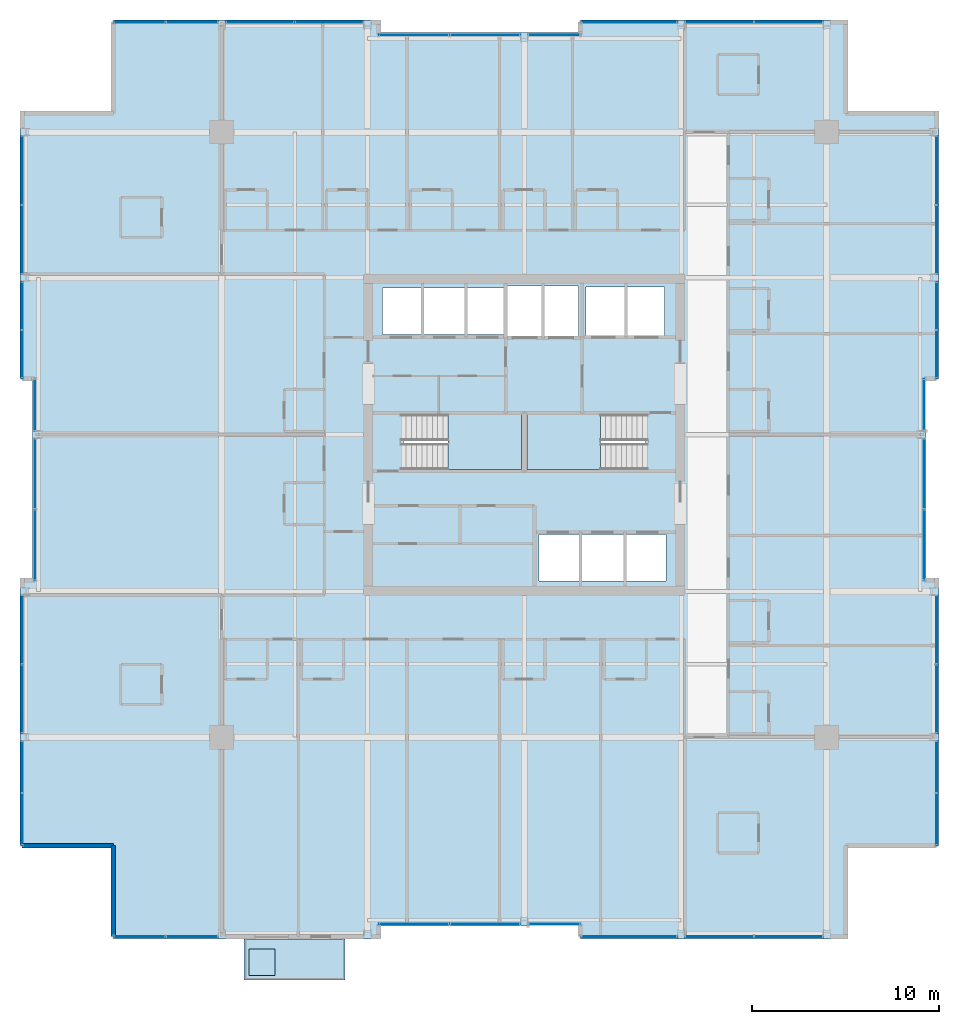
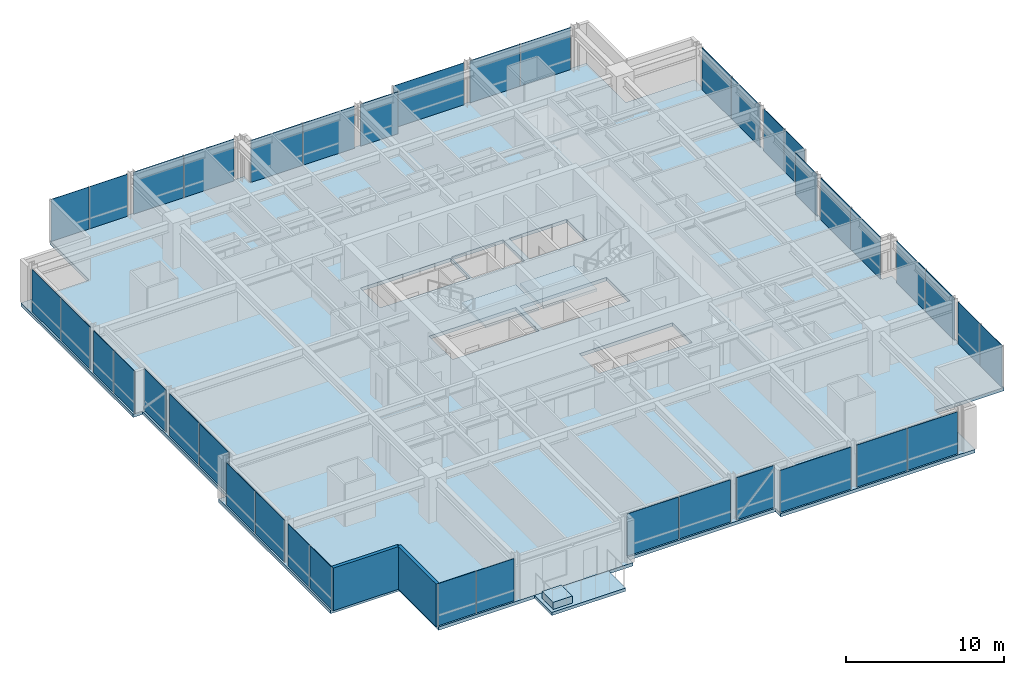
# One storey, part 25 of 33: 40 plates, 5 slabs, 2 walls, 25 elements without a shape of their own.
"""IFC4 building model written with IfcOpenShell, lengths in metres."""

from ifc_helpers import new_model, si_unit, direction, frame, frame_2d, origin, origin_2d, place, context, subcontext, project, spatial, polyline, rectangle, outline, extrude, material, layer, layer_set, type_object, element, aggregate, save


model = new_model("IFC4")

# Units and contexts
model_context = context("Model", 3, precision=1e-05, world=origin(), true_north=direction((0.0, 1.0)))
body_context = subcontext(model_context, "Body", "Model", "MODEL_VIEW")
ifc_project = project(units=[si_unit("LENGTHUNIT", "METRE"), si_unit("AREAUNIT", "SQUARE_METRE"), si_unit("VOLUMEUNIT", "CUBIC_METRE"), si_unit("PLANEANGLEUNIT", "RADIAN"), si_unit("MASSUNIT", "GRAM", prefix="KILO")], contexts=[model_context])

# Site, building, storey
site_placement = place(None, origin())
site = spatial("IfcSite", under=ifc_project, at=site_placement, CompositionType="ELEMENT")
building_placement = place(site_placement, origin())
building = spatial("IfcBuilding", under=site, at=building_placement, Name="Drelvath Grand Hotel", CompositionType="ELEMENT")
storey_placement = place(building_placement, frame((0.0, 0.0, 153.949951171875)))
storey = spatial("IfcBuildingStorey", under=building, at=storey_placement, Name="L39", CompositionType="ELEMENT", Elevation=153.949951171875)

# Slabs
ifc_material_1 = material(Name="Concrete f'c 40 MPa", Category="concrete")
ifc_layer_1 = layer(ifc_material_1, 0.239990234375)
ifc_layer_set_1 = layer_set([ifc_layer_1], Name="Concrete f'c 40 MPa")
slab_type_1 = type_object("IfcSlabType", Name="Cantilevered Tree Balcony Slab 240", PredefinedType="FLOOR", material=ifc_layer_set_1)
slab_1_placement = place(storey_placement, frame((0.0, 0.0, -0.239990234375)))
element("IfcSlab", 1, at=slab_1_placement, inside=storey, type_object=slab_type_1, Name="L39 Cantilevered Tree Balcony Slab 1", PredefinedType="FLOOR", context=body_context, shape_type="SweptSolid", body=[
    extrude(outline(polyline([(-15.0, -2.199951171875), (-9.60009765625, -2.199951171875), (-9.60009765625, 0.0), (-15.0, 0.0), (-15.0, -2.199951171875)])), origin(), (0.0, 0.0, 1.0), 0.239990234375),
])
ifc_layer_2 = layer(ifc_material_1, 0.260009765625)
ifc_layer_set_2 = layer_set([ifc_layer_2], Name="Concrete f'c 40 MPa")
slab_type_2 = type_object("IfcSlabType", Name="Composite RC Floor Slab 260", PredefinedType="FLOOR", material=ifc_layer_set_2)
slab_2_placement = place(storey_placement, frame((0.0, 0.0, -0.260009765625)))
element("IfcSlab", 2, at=slab_2_placement, inside=storey, type_object=slab_type_2, Name="L39 Structural Floor Slab", PredefinedType="FLOOR", context=body_context, shape_type="SweptSolid", body=[
    extrude(outline(polyline([(-22.0, 0.0), (-7.800048828125, 0.0), (-7.800048828125, 0.679931640625), (3.0, 0.679931640625), (3.0, 0.0), (17.199951171875, 0.0), (17.199951171875, 5.0), (22.199951171875, 5.0), (22.199951171875, 19.199951171875), (21.52001953125, 19.199951171875), (21.52001953125, 30.0), (22.199951171875, 30.0), (22.199951171875, 44.199951171875), (17.199951171875, 44.199951171875), (17.199951171875, 49.199951171875), (3.0, 49.199951171875), (3.0, 48.52001953125), (-7.800048828125, 48.52001953125), (-7.800048828125, 49.199951171875), (-22.0, 49.199951171875), (-22.0, 44.199951171875), (-27.0, 44.199951171875), (-27.0, 30.0), (-26.320068359375, 30.0), (-26.320068359375, 19.199951171875), (-27.0, 19.199951171875), (-27.0, 5.0), (-22.0, 5.0), (-22.0, 0.0)]), holes=[polyline([(-6.47998046875, 25.1201171875), (-6.47998046875, 28.080078125), (-0.14990234375, 28.080078125), (-0.14990234375, 25.1201171875), (-6.47998046875, 25.1201171875)]), polyline([(0.14990234375, 25.1201171875), (0.14990234375, 28.080078125), (6.47998046875, 28.080078125), (6.47998046875, 25.1201171875), (0.14990234375, 25.1201171875)]), polyline([(0.800048828125, 19.14990234375), (0.800048828125, 21.64990234375), (7.60009765625, 21.64990234375), (7.60009765625, 19.14990234375), (0.800048828125, 19.14990234375)]), polyline([(-7.60009765625, 32.35009765625), (-7.60009765625, 34.85009765625), (-1.02001953125, 34.85009765625), (-1.02001953125, 32.35009765625), (-7.60009765625, 32.35009765625)]), polyline([(-0.89990234375, 32.25), (-0.89990234375, 34.949951171875), (2.89990234375, 34.949951171875), (2.89990234375, 32.25), (-0.89990234375, 32.25)]), polyline([(3.300048828125, 32.300048828125), (3.300048828125, 34.89990234375), (7.5, 34.89990234375), (7.5, 32.300048828125), (3.300048828125, 32.300048828125)])]), origin(), (0.0, 0.0, 1.0), 0.260009765625),
])

# Stair, slab
ifc_material_2 = material(Name="Concrete C40/50", Category="concrete")
stair_type = type_object("IfcStairType", Name="Dogleg Exit Stair W1400-R177.5", PredefinedType="HALF_TURN_STAIR", material=ifc_material_2)
stair_1_placement = place(storey_placement, origin())
stair_1 = element("IfcStair", 3, at=stair_1_placement, inside=storey, type_object=stair_type, Name="L39 Core Exit Stair ST-1", PredefinedType="HALF_TURN_STAIR")
ifc_layer_3 = layer(ifc_material_2, 0.199951171875)
ifc_layer_set_3 = layer_set([ifc_layer_3], Name="Concrete C40/50")
slab_type_3 = type_object("IfcSlabType", Name="Concrete Stair Landing Slab 200", PredefinedType="LANDING", material=ifc_layer_set_3)
slab_3_placement = place(storey_placement, frame((0.0, 0.0, 1.574951171875)))
slab_3 = element("IfcSlab", 4, at=slab_3_placement, type_object=slab_type_3, Name="ST-1 landing 1", PredefinedType="LANDING", context=body_context, shape_type="SweptSolid", body=[
    extrude(outline(polyline([(-4.080078125, 25.1201171875), (-0.14990234375, 25.1201171875), (-0.14990234375, 28.080078125), (-4.080078125, 28.080078125), (-4.080078125, 25.1201171875)])), origin(), (0.0, 0.0, 1.0), 0.2001953125),
])
aggregate(stair_1, [slab_3])

stair_2_placement = place(storey_placement, origin())
stair_2 = element("IfcStair", 5, at=stair_2_placement, inside=storey, type_object=stair_type, Name="L39 Core Exit Stair ST-2", PredefinedType="HALF_TURN_STAIR")
slab_4_placement = place(storey_placement, frame((0.0, 0.0, 1.574951171875)))
slab_4 = element("IfcSlab", 6, at=slab_4_placement, type_object=slab_type_3, Name="ST-2 landing 1", PredefinedType="LANDING", context=body_context, shape_type="SweptSolid", body=[
    extrude(outline(polyline([(4.080078125, 28.080078125), (0.14990234375, 28.080078125), (0.14990234375, 25.1201171875), (4.080078125, 25.1201171875), (4.080078125, 28.080078125)])), origin(), (0.0, 0.0, 1.0), 0.2001953125),
])
aggregate(stair_2, [slab_4])

# Curtain wall, plates
ifc_material_3 = material(Name="Brushed Pale-Silver Anodised Aluminium Frame", Category="aluminium")
ifc_layer_4 = layer(ifc_material_3, 0.199951171875)
ifc_layer_set_4 = layer_set([ifc_layer_4], Name="Brushed Pale-Silver Anodised Aluminium Frame")
curtain_wall_type = type_object("IfcCurtainWallType", Name="Stick Curtain Wall CW-04 Brushed Silver Upper-Mid", PredefinedType="NOTDEFINED", material=ifc_layer_set_4)
curtain_wall_1_placement = place(storey_placement, origin())
curtain_wall_1 = element("IfcCurtainWall", 7, at=curtain_wall_1_placement, inside=storey, type_object=curtain_wall_type, Name="L39 CW-04 Curtain Wall CW04-L39-WS1", PredefinedType="NOTDEFINED")
ifc_material_4 = material(Name="Low-E Triple Silver Vision Glass Cool", Category="glass")
ifc_layer_5 = layer(ifc_material_4, 0.035888671875)
ifc_layer_set_5 = layer_set([ifc_layer_5], Name="Low-E Triple Silver Vision Glass Cool")
plate_type = type_object("IfcPlateType", Name="Curtain Wall Vision Panel CW-04 36mm", PredefinedType="CURTAIN_PANEL", material=ifc_layer_set_5)
plate_1_placement = place(storey_placement, frame((-26.8798828125, 6.39990234375, 0.02001953125), z_axis=(0.0, 0.0, 1.0), x_axis=(0.0, 1.0, 0.0)))
plate_1 = element("IfcPlate", 8, at=plate_1_placement, type_object=plate_type, Name="CW04-L39-WS1 Glazed Panel 1", PredefinedType="CURTAIN_PANEL", context=body_context, shape_type="SweptSolid", body=[
    extrude(rectangle(XDim=2.760009765625, YDim=0.035888671875, at=origin_2d()), origin(), (0.0, 0.0, 1.0), 3.25),
])
plate_2_placement = place(storey_placement, frame((-26.8798828125, 9.199951171875, 0.02001953125), z_axis=(0.0, 0.0, 1.0), x_axis=(0.0, 1.0, 0.0)))
plate_2 = element("IfcPlate", 9, at=plate_2_placement, type_object=plate_type, Name="CW04-L39-WS1 Glazed Panel 2", PredefinedType="CURTAIN_PANEL", context=body_context, shape_type="SweptSolid", body=[
    extrude(rectangle(XDim=2.760009765625, YDim=0.035888671875, at=origin_2d()), origin(), (0.0, 0.0, 1.0), 3.25),
])
aggregate(curtain_wall_1, [plate_1, plate_2])

curtain_wall_2_placement = place(storey_placement, origin())
curtain_wall_2 = element("IfcCurtainWall", 10, at=curtain_wall_2_placement, inside=storey, type_object=curtain_wall_type, Name="L39 CW-04 Curtain Wall CW04-L39-WS2", PredefinedType="NOTDEFINED")
plate_3_placement = place(storey_placement, frame((-26.8798828125, 12.85009765625, 0.02001953125), z_axis=(0.0, 0.0, 1.0), x_axis=(0.0, 1.0, 0.0)))
plate_3 = element("IfcPlate", 11, at=plate_3_placement, type_object=plate_type, Name="CW04-L39-WS2 Glazed Panel 1", PredefinedType="CURTAIN_PANEL", context=body_context, shape_type="SweptSolid", body=[
    extrude(rectangle(XDim=3.659912109375, YDim=0.035888671875, at=origin_2d()), origin(), (0.0, 0.0, 1.0), 3.25),
])
plate_4_placement = place(storey_placement, frame((-26.8798828125, 16.550048828125, 0.02001953125), z_axis=(0.0, 0.0, 1.0), x_axis=(0.0, 1.0, 0.0)))
plate_4 = element("IfcPlate", 12, at=plate_4_placement, type_object=plate_type, Name="CW04-L39-WS2 Glazed Panel 2", PredefinedType="CURTAIN_PANEL", context=body_context, shape_type="SweptSolid", body=[
    extrude(rectangle(XDim=3.659912109375, YDim=0.035888671875, at=origin_2d()), origin(), (0.0, 0.0, 1.0), 3.25),
])
aggregate(curtain_wall_2, [plate_3, plate_4])

curtain_wall_3_placement = place(storey_placement, origin())
curtain_wall_3 = element("IfcCurtainWall", 13, at=curtain_wall_3_placement, inside=storey, type_object=curtain_wall_type, Name="L39 CW-04 Curtain Wall CW04-L39-WM1", PredefinedType="NOTDEFINED")
plate_5_placement = place(storey_placement, frame((-26.199951171875, 21.099853515625, 0.02001953125), z_axis=(0.0, 0.0, 1.0), x_axis=(0.0, 1.0, 0.0)))
plate_5 = element("IfcPlate", 14, at=plate_5_placement, type_object=plate_type, Name="CW04-L39-WM1 Glazed Panel 1", PredefinedType="CURTAIN_PANEL", context=body_context, shape_type="SweptSolid", body=[
    extrude(rectangle(XDim=3.760009765625, YDim=0.035888671875, at=origin_2d()), origin(), (0.0, 0.0, 1.0), 3.25),
])
plate_6_placement = place(storey_placement, frame((-26.199951171875, 24.89990234375, 0.02001953125), z_axis=(0.0, 0.0, 1.0), x_axis=(0.0, 1.0, 0.0)))
plate_6 = element("IfcPlate", 15, at=plate_6_placement, type_object=plate_type, Name="CW04-L39-WM1 Glazed Panel 2", PredefinedType="CURTAIN_PANEL", context=body_context, shape_type="SweptSolid", body=[
    extrude(rectangle(XDim=3.760009765625, YDim=0.035888671875, at=origin_2d()), origin(), (0.0, 0.0, 1.0), 3.25),
])
aggregate(curtain_wall_3, [plate_5, plate_6])

# Curtain wall, plate
curtain_wall_4_placement = place(storey_placement, origin())
curtain_wall_4 = element("IfcCurtainWall", 16, at=curtain_wall_4_placement, inside=storey, type_object=curtain_wall_type, Name="L39 CW-04 Curtain Wall CW04-L39-WM2", PredefinedType="NOTDEFINED")
plate_7_placement = place(storey_placement, frame((-26.199951171875, 28.60009765625, 0.02001953125), z_axis=(0.0, 0.0, 1.0), x_axis=(0.0, 1.0, 0.0)))
plate_7 = element("IfcPlate", 17, at=plate_7_placement, type_object=plate_type, Name="CW04-L39-WM2 Glazed Panel 1", PredefinedType="CURTAIN_PANEL", context=body_context, shape_type="SweptSolid", body=[
    extrude(rectangle(XDim=2.760009765625, YDim=0.035888671875, at=origin_2d()), origin(), (0.0, 0.0, 1.0), 3.25),
])
aggregate(curtain_wall_4, [plate_7])

# Curtain wall, plates
curtain_wall_5_placement = place(storey_placement, origin())
curtain_wall_5 = element("IfcCurtainWall", 18, at=curtain_wall_5_placement, inside=storey, type_object=curtain_wall_type, Name="L39 CW-04 Curtain Wall CW04-L39-WN1", PredefinedType="NOTDEFINED")
plate_8_placement = place(storey_placement, frame((-26.8798828125, 31.300048828125, 0.02001953125), z_axis=(0.0, 0.0, 1.0), x_axis=(0.0, 1.0, 0.0)))
plate_8 = element("IfcPlate", 19, at=plate_8_placement, type_object=plate_type, Name="CW04-L39-WN1 Glazed Panel 1", PredefinedType="CURTAIN_PANEL", context=body_context, shape_type="SweptSolid", body=[
    extrude(rectangle(XDim=2.56005859375, YDim=0.035888671875, at=origin_2d()), origin(), (0.0, 0.0, 1.0), 3.25),
])
plate_9_placement = place(storey_placement, frame((-26.8798828125, 33.89990234375, 0.02001953125), z_axis=(0.0, 0.0, 1.0), x_axis=(0.0, 1.0, 0.0)))
plate_9 = element("IfcPlate", 20, at=plate_9_placement, type_object=plate_type, Name="CW04-L39-WN1 Glazed Panel 2", PredefinedType="CURTAIN_PANEL", context=body_context, shape_type="SweptSolid", body=[
    extrude(rectangle(XDim=2.56005859375, YDim=0.035888671875, at=origin_2d()), origin(), (0.0, 0.0, 1.0), 3.25),
])
aggregate(curtain_wall_5, [plate_8, plate_9])

curtain_wall_6_placement = place(storey_placement, origin())
curtain_wall_6 = element("IfcCurtainWall", 21, at=curtain_wall_6_placement, inside=storey, type_object=curtain_wall_type, Name="L39 CW-04 Curtain Wall CW04-L39-WN2", PredefinedType="NOTDEFINED")
plate_10_placement = place(storey_placement, frame((-26.8798828125, 37.449951171875, 0.02001953125), z_axis=(0.0, 0.0, 1.0), x_axis=(0.0, 1.0, 0.0)))
plate_10 = element("IfcPlate", 22, at=plate_10_placement, type_object=plate_type, Name="CW04-L39-WN2 Glazed Panel 1", PredefinedType="CURTAIN_PANEL", context=body_context, shape_type="SweptSolid", body=[
    extrude(rectangle(XDim=3.659912109375, YDim=0.035888671875, at=origin_2d()), origin(), (0.0, 0.0, 1.0), 3.25),
])
plate_11_placement = place(storey_placement, frame((-26.8798828125, 41.14990234375, 0.02001953125), z_axis=(0.0, 0.0, 1.0), x_axis=(0.0, 1.0, 0.0)))
plate_11 = element("IfcPlate", 23, at=plate_11_placement, type_object=plate_type, Name="CW04-L39-WN2 Glazed Panel 2", PredefinedType="CURTAIN_PANEL", context=body_context, shape_type="SweptSolid", body=[
    extrude(rectangle(XDim=3.659912109375, YDim=0.035888671875, at=origin_2d()), origin(), (0.0, 0.0, 1.0), 3.25),
])
aggregate(curtain_wall_6, [plate_10, plate_11])

curtain_wall_7_placement = place(storey_placement, origin())
curtain_wall_7 = element("IfcCurtainWall", 24, at=curtain_wall_7_placement, inside=storey, type_object=curtain_wall_type, Name="L39 CW-04 Curtain Wall CW04-L39-EN1", PredefinedType="NOTDEFINED")
plate_12_placement = place(storey_placement, frame((22.080078125, 33.89990234375, 0.02001953125), z_axis=(0.0, 0.0, 1.0), x_axis=(0.0, -1.0, 0.0)))
plate_12 = element("IfcPlate", 25, at=plate_12_placement, type_object=plate_type, Name="CW04-L39-EN1 Glazed Panel 1", PredefinedType="CURTAIN_PANEL", context=body_context, shape_type="SweptSolid", body=[
    extrude(rectangle(XDim=2.56005859375, YDim=0.035888671875, at=origin_2d()), origin(), (0.0, 0.0, 1.0), 3.25),
])
plate_13_placement = place(storey_placement, frame((22.080078125, 31.300048828125, 0.02001953125), z_axis=(0.0, 0.0, 1.0), x_axis=(0.0, -1.0, 0.0)))
plate_13 = element("IfcPlate", 26, at=plate_13_placement, type_object=plate_type, Name="CW04-L39-EN1 Glazed Panel 2", PredefinedType="CURTAIN_PANEL", context=body_context, shape_type="SweptSolid", body=[
    extrude(rectangle(XDim=2.56005859375, YDim=0.035888671875, at=origin_2d()), origin(), (0.0, 0.0, 1.0), 3.25),
])
aggregate(curtain_wall_7, [plate_12, plate_13])

curtain_wall_8_placement = place(storey_placement, origin())
curtain_wall_8 = element("IfcCurtainWall", 27, at=curtain_wall_8_placement, inside=storey, type_object=curtain_wall_type, Name="L39 CW-04 Curtain Wall CW04-L39-EN2", PredefinedType="NOTDEFINED")
plate_14_placement = place(storey_placement, frame((22.080078125, 41.14990234375, 0.02001953125), z_axis=(0.0, 0.0, 1.0), x_axis=(0.0, -1.0, 0.0)))
plate_14 = element("IfcPlate", 28, at=plate_14_placement, type_object=plate_type, Name="CW04-L39-EN2 Glazed Panel 1", PredefinedType="CURTAIN_PANEL", context=body_context, shape_type="SweptSolid", body=[
    extrude(rectangle(XDim=3.659912109375, YDim=0.035888671875, at=origin_2d()), origin(), (0.0, 0.0, 1.0), 3.25),
])
plate_15_placement = place(storey_placement, frame((22.080078125, 37.449951171875, 0.02001953125), z_axis=(0.0, 0.0, 1.0), x_axis=(0.0, -1.0, 0.0)))
plate_15 = element("IfcPlate", 29, at=plate_15_placement, type_object=plate_type, Name="CW04-L39-EN2 Glazed Panel 2", PredefinedType="CURTAIN_PANEL", context=body_context, shape_type="SweptSolid", body=[
    extrude(rectangle(XDim=3.659912109375, YDim=0.035888671875, at=origin_2d()), origin(), (0.0, 0.0, 1.0), 3.25),
])
aggregate(curtain_wall_8, [plate_14, plate_15])

curtain_wall_9_placement = place(storey_placement, origin())
curtain_wall_9 = element("IfcCurtainWall", 30, at=curtain_wall_9_placement, inside=storey, type_object=curtain_wall_type, Name="L39 CW-04 Curtain Wall CW04-L39-EM1", PredefinedType="NOTDEFINED")
plate_16_placement = place(storey_placement, frame((21.39990234375, 24.89990234375, 0.02001953125), z_axis=(0.0, 0.0, 1.0), x_axis=(0.0, -1.0, 0.0)))
plate_16 = element("IfcPlate", 31, at=plate_16_placement, type_object=plate_type, Name="CW04-L39-EM1 Glazed Panel 1", PredefinedType="CURTAIN_PANEL", context=body_context, shape_type="SweptSolid", body=[
    extrude(rectangle(XDim=3.760009765625, YDim=0.035888671875, at=origin_2d()), origin(), (0.0, 0.0, 1.0), 3.25),
])
plate_17_placement = place(storey_placement, frame((21.39990234375, 21.099853515625, 0.02001953125), z_axis=(0.0, 0.0, 1.0), x_axis=(0.0, -1.0, 0.0)))
plate_17 = element("IfcPlate", 32, at=plate_17_placement, type_object=plate_type, Name="CW04-L39-EM1 Glazed Panel 2", PredefinedType="CURTAIN_PANEL", context=body_context, shape_type="SweptSolid", body=[
    extrude(rectangle(XDim=3.760009765625, YDim=0.035888671875, at=origin_2d()), origin(), (0.0, 0.0, 1.0), 3.25),
])
aggregate(curtain_wall_9, [plate_16, plate_17])

# Curtain wall, plate
curtain_wall_10_placement = place(storey_placement, origin())
curtain_wall_10 = element("IfcCurtainWall", 33, at=curtain_wall_10_placement, inside=storey, type_object=curtain_wall_type, Name="L39 CW-04 Curtain Wall CW04-L39-EM2", PredefinedType="NOTDEFINED")
plate_18_placement = place(storey_placement, frame((21.39990234375, 28.60009765625, 0.02001953125), z_axis=(0.0, 0.0, 1.0), x_axis=(0.0, -1.0, 0.0)))
plate_18 = element("IfcPlate", 34, at=plate_18_placement, type_object=plate_type, Name="CW04-L39-EM2 Glazed Panel 1", PredefinedType="CURTAIN_PANEL", context=body_context, shape_type="SweptSolid", body=[
    extrude(rectangle(XDim=2.760009765625, YDim=0.035888671875, at=origin_2d()), origin(), (0.0, 0.0, 1.0), 3.25),
])
aggregate(curtain_wall_10, [plate_18])

# Curtain wall, plates
curtain_wall_11_placement = place(storey_placement, origin())
curtain_wall_11 = element("IfcCurtainWall", 35, at=curtain_wall_11_placement, inside=storey, type_object=curtain_wall_type, Name="L39 CW-04 Curtain Wall CW04-L39-ES1", PredefinedType="NOTDEFINED")
plate_19_placement = place(storey_placement, frame((22.080078125, 9.199951171875, 0.02001953125), z_axis=(0.0, 0.0, 1.0), x_axis=(0.0, -1.0, 0.0)))
plate_19 = element("IfcPlate", 36, at=plate_19_placement, type_object=plate_type, Name="CW04-L39-ES1 Glazed Panel 1", PredefinedType="CURTAIN_PANEL", context=body_context, shape_type="SweptSolid", body=[
    extrude(rectangle(XDim=2.760009765625, YDim=0.035888671875, at=origin_2d()), origin(), (0.0, 0.0, 1.0), 3.25),
])
plate_20_placement = place(storey_placement, frame((22.080078125, 6.39990234375, 0.02001953125), z_axis=(0.0, 0.0, 1.0), x_axis=(0.0, -1.0, 0.0)))
plate_20 = element("IfcPlate", 37, at=plate_20_placement, type_object=plate_type, Name="CW04-L39-ES1 Glazed Panel 2", PredefinedType="CURTAIN_PANEL", context=body_context, shape_type="SweptSolid", body=[
    extrude(rectangle(XDim=2.760009765625, YDim=0.035888671875, at=origin_2d()), origin(), (0.0, 0.0, 1.0), 3.25),
])
aggregate(curtain_wall_11, [plate_19, plate_20])

curtain_wall_12_placement = place(storey_placement, origin())
curtain_wall_12 = element("IfcCurtainWall", 38, at=curtain_wall_12_placement, inside=storey, type_object=curtain_wall_type, Name="L39 CW-04 Curtain Wall CW04-L39-ES2", PredefinedType="NOTDEFINED")
plate_21_placement = place(storey_placement, frame((22.080078125, 16.550048828125, 0.02001953125), z_axis=(0.0, 0.0, 1.0), x_axis=(0.0, -1.0, 0.0)))
plate_21 = element("IfcPlate", 39, at=plate_21_placement, type_object=plate_type, Name="CW04-L39-ES2 Glazed Panel 1", PredefinedType="CURTAIN_PANEL", context=body_context, shape_type="SweptSolid", body=[
    extrude(rectangle(XDim=3.659912109375, YDim=0.035888671875, at=origin_2d()), origin(), (0.0, 0.0, 1.0), 3.25),
])
plate_22_placement = place(storey_placement, frame((22.080078125, 12.85009765625, 0.02001953125), z_axis=(0.0, 0.0, 1.0), x_axis=(0.0, -1.0, 0.0)))
plate_22 = element("IfcPlate", 40, at=plate_22_placement, type_object=plate_type, Name="CW04-L39-ES2 Glazed Panel 2", PredefinedType="CURTAIN_PANEL", context=body_context, shape_type="SweptSolid", body=[
    extrude(rectangle(XDim=3.659912109375, YDim=0.035888671875, at=origin_2d()), origin(), (0.0, 0.0, 1.0), 3.25),
])
aggregate(curtain_wall_12, [plate_21, plate_22])

curtain_wall_13_placement = place(storey_placement, origin())
curtain_wall_13 = element("IfcCurtainWall", 41, at=curtain_wall_13_placement, inside=storey, type_object=curtain_wall_type, Name="L39 CW-04 Curtain Wall CW04-L39-NW1", PredefinedType="NOTDEFINED")
plate_23_placement = place(storey_placement, frame((-20.60009765625, 49.080078125, 0.02001953125), z_axis=(0.0, 0.0, 1.0), x_axis=(1.0, 0.0, 0.0)))
plate_23 = element("IfcPlate", 42, at=plate_23_placement, type_object=plate_type, Name="CW04-L39-NW1 Glazed Panel 1", PredefinedType="CURTAIN_PANEL", context=body_context, shape_type="SweptSolid", body=[
    extrude(rectangle(XDim=2.760009765625, YDim=0.035888671875, at=origin_2d()), origin(), (0.0, 0.0, 1.0), 3.25),
])
plate_24_placement = place(storey_placement, frame((-17.800048828125, 49.080078125, 0.02001953125), z_axis=(0.0, 0.0, 1.0), x_axis=(1.0, 0.0, 0.0)))
plate_24 = element("IfcPlate", 43, at=plate_24_placement, type_object=plate_type, Name="CW04-L39-NW1 Glazed Panel 2", PredefinedType="CURTAIN_PANEL", context=body_context, shape_type="SweptSolid", body=[
    extrude(rectangle(XDim=2.760009765625, YDim=0.035888671875, at=origin_2d()), origin(), (0.0, 0.0, 1.0), 3.25),
])
aggregate(curtain_wall_13, [plate_23, plate_24])

curtain_wall_14_placement = place(storey_placement, origin())
curtain_wall_14 = element("IfcCurtainWall", 44, at=curtain_wall_14_placement, inside=storey, type_object=curtain_wall_type, Name="L39 CW-04 Curtain Wall CW04-L39-NW2", PredefinedType="NOTDEFINED")
plate_25_placement = place(storey_placement, frame((-14.14990234375, 49.080078125, 0.02001953125), z_axis=(0.0, 0.0, 1.0), x_axis=(1.0, 0.0, 0.0)))
plate_25 = element("IfcPlate", 45, at=plate_25_placement, type_object=plate_type, Name="CW04-L39-NW2 Glazed Panel 1", PredefinedType="CURTAIN_PANEL", context=body_context, shape_type="SweptSolid", body=[
    extrude(rectangle(XDim=3.659912109375, YDim=0.035888671875, at=origin_2d()), origin(), (0.0, 0.0, 1.0), 3.25),
])
plate_26_placement = place(storey_placement, frame((-10.4501953125, 49.080078125, 0.02001953125), z_axis=(0.0, 0.0, 1.0), x_axis=(1.0, 0.0, 0.0)))
plate_26 = element("IfcPlate", 46, at=plate_26_placement, type_object=plate_type, Name="CW04-L39-NW2 Glazed Panel 2", PredefinedType="CURTAIN_PANEL", context=body_context, shape_type="SweptSolid", body=[
    extrude(rectangle(XDim=3.659912109375, YDim=0.035888671875, at=origin_2d()), origin(), (0.0, 0.0, 1.0), 3.25),
])
aggregate(curtain_wall_14, [plate_25, plate_26])

curtain_wall_15_placement = place(storey_placement, origin())
curtain_wall_15 = element("IfcCurtainWall", 47, at=curtain_wall_15_placement, inside=storey, type_object=curtain_wall_type, Name="L39 CW-04 Curtain Wall CW04-L39-NM1", PredefinedType="NOTDEFINED")
plate_27_placement = place(storey_placement, frame((-5.89990234375, 48.39990234375, 0.02001953125), z_axis=(0.0, 0.0, 1.0), x_axis=(1.0, 0.0, 0.0)))
plate_27 = element("IfcPlate", 48, at=plate_27_placement, type_object=plate_type, Name="CW04-L39-NM1 Glazed Panel 1", PredefinedType="CURTAIN_PANEL", context=body_context, shape_type="SweptSolid", body=[
    extrude(rectangle(XDim=3.760009765625, YDim=0.035888671875, at=origin_2d()), origin(), (0.0, 0.0, 1.0), 3.25),
])
plate_28_placement = place(storey_placement, frame((-2.10009765625, 48.39990234375, 0.02001953125), z_axis=(0.0, 0.0, 1.0), x_axis=(1.0, 0.0, 0.0)))
plate_28 = element("IfcPlate", 49, at=plate_28_placement, type_object=plate_type, Name="CW04-L39-NM1 Glazed Panel 2", PredefinedType="CURTAIN_PANEL", context=body_context, shape_type="SweptSolid", body=[
    extrude(rectangle(XDim=3.760009765625, YDim=0.035888671875, at=origin_2d()), origin(), (0.0, 0.0, 1.0), 3.25),
])
aggregate(curtain_wall_15, [plate_27, plate_28])

# Curtain wall, plate
curtain_wall_16_placement = place(storey_placement, origin())
curtain_wall_16 = element("IfcCurtainWall", 50, at=curtain_wall_16_placement, inside=storey, type_object=curtain_wall_type, Name="L39 CW-04 Curtain Wall CW04-L39-NM2", PredefinedType="NOTDEFINED")
plate_29_placement = place(storey_placement, frame((1.60009765625, 48.39990234375, 0.02001953125), z_axis=(0.0, 0.0, 1.0), x_axis=(1.0, 0.0, 0.0)))
plate_29 = element("IfcPlate", 51, at=plate_29_placement, type_object=plate_type, Name="CW04-L39-NM2 Glazed Panel 1", PredefinedType="CURTAIN_PANEL", context=body_context, shape_type="SweptSolid", body=[
    extrude(rectangle(XDim=2.760009765625, YDim=0.035888671875, at=origin_2d()), origin(), (0.0, 0.0, 1.0), 3.25),
])
aggregate(curtain_wall_16, [plate_29])

curtain_wall_17_placement = place(storey_placement, origin())
curtain_wall_17 = element("IfcCurtainWall", 52, at=curtain_wall_17_placement, inside=storey, type_object=curtain_wall_type, Name="L39 CW-04 Curtain Wall CW04-L39-NE1", PredefinedType="NOTDEFINED")
plate_30_placement = place(storey_placement, frame((5.599853515625, 49.080078125, 0.02001953125), z_axis=(0.0, 0.0, 1.0), x_axis=(1.0, 0.0, 0.0)))
plate_30 = element("IfcPlate", 53, at=plate_30_placement, type_object=plate_type, Name="CW04-L39-NE1 Glazed Panel 1", PredefinedType="CURTAIN_PANEL", context=body_context, shape_type="SweptSolid", body=[
    extrude(rectangle(XDim=5.159912109375, YDim=0.035888671875, at=origin_2d()), origin(), (0.0, 0.0, 1.0), 3.25),
])
aggregate(curtain_wall_17, [plate_30])

# Curtain wall, plates
curtain_wall_18_placement = place(storey_placement, origin())
curtain_wall_18 = element("IfcCurtainWall", 54, at=curtain_wall_18_placement, inside=storey, type_object=curtain_wall_type, Name="L39 CW-04 Curtain Wall CW04-L39-NE2", PredefinedType="NOTDEFINED")
plate_31_placement = place(storey_placement, frame((10.4501953125, 49.080078125, 0.02001953125), z_axis=(0.0, 0.0, 1.0), x_axis=(1.0, 0.0, 0.0)))
plate_31 = element("IfcPlate", 55, at=plate_31_placement, type_object=plate_type, Name="CW04-L39-NE2 Glazed Panel 1", PredefinedType="CURTAIN_PANEL", context=body_context, shape_type="SweptSolid", body=[
    extrude(rectangle(XDim=3.659912109375, YDim=0.035888671875, at=origin_2d()), origin(), (0.0, 0.0, 1.0), 3.25),
])
plate_32_placement = place(storey_placement, frame((14.14990234375, 49.080078125, 0.02001953125), z_axis=(0.0, 0.0, 1.0), x_axis=(1.0, 0.0, 0.0)))
plate_32 = element("IfcPlate", 56, at=plate_32_placement, type_object=plate_type, Name="CW04-L39-NE2 Glazed Panel 2", PredefinedType="CURTAIN_PANEL", context=body_context, shape_type="SweptSolid", body=[
    extrude(rectangle(XDim=3.659912109375, YDim=0.035888671875, at=origin_2d()), origin(), (0.0, 0.0, 1.0), 3.25),
])
aggregate(curtain_wall_18, [plate_31, plate_32])

# Curtain wall, plate
curtain_wall_19_placement = place(storey_placement, origin())
curtain_wall_19 = element("IfcCurtainWall", 57, at=curtain_wall_19_placement, inside=storey, type_object=curtain_wall_type, Name="L39 CW-04 Curtain Wall CW04-L39-SE1", PredefinedType="NOTDEFINED")
plate_33_placement = place(storey_placement, frame((5.599853515625, 0.1201171875, 0.02001953125), z_axis=(0.0, 0.0, 1.0), x_axis=(-1.0, 0.0, 0.0)))
plate_33 = element("IfcPlate", 58, at=plate_33_placement, type_object=plate_type, Name="CW04-L39-SE1 Glazed Panel 1", PredefinedType="CURTAIN_PANEL", context=body_context, shape_type="SweptSolid", body=[
    extrude(rectangle(XDim=5.159912109375, YDim=0.035888671875, at=origin_2d()), origin(), (0.0, 0.0, 1.0), 3.25),
])
aggregate(curtain_wall_19, [plate_33])

# Curtain wall, plates
curtain_wall_20_placement = place(storey_placement, origin())
curtain_wall_20 = element("IfcCurtainWall", 59, at=curtain_wall_20_placement, inside=storey, type_object=curtain_wall_type, Name="L39 CW-04 Curtain Wall CW04-L39-SE2", PredefinedType="NOTDEFINED")
plate_34_placement = place(storey_placement, frame((14.14990234375, 0.1201171875, 0.02001953125), z_axis=(0.0, 0.0, 1.0), x_axis=(-1.0, 0.0, 0.0)))
plate_34 = element("IfcPlate", 60, at=plate_34_placement, type_object=plate_type, Name="CW04-L39-SE2 Glazed Panel 1", PredefinedType="CURTAIN_PANEL", context=body_context, shape_type="SweptSolid", body=[
    extrude(rectangle(XDim=3.659912109375, YDim=0.035888671875, at=origin_2d()), origin(), (0.0, 0.0, 1.0), 3.25),
])
plate_35_placement = place(storey_placement, frame((10.4501953125, 0.1201171875, 0.02001953125), z_axis=(0.0, 0.0, 1.0), x_axis=(-1.0, 0.0, 0.0)))
plate_35 = element("IfcPlate", 61, at=plate_35_placement, type_object=plate_type, Name="CW04-L39-SE2 Glazed Panel 2", PredefinedType="CURTAIN_PANEL", context=body_context, shape_type="SweptSolid", body=[
    extrude(rectangle(XDim=3.659912109375, YDim=0.035888671875, at=origin_2d()), origin(), (0.0, 0.0, 1.0), 3.25),
])
aggregate(curtain_wall_20, [plate_34, plate_35])

curtain_wall_21_placement = place(storey_placement, origin())
curtain_wall_21 = element("IfcCurtainWall", 62, at=curtain_wall_21_placement, inside=storey, type_object=curtain_wall_type, Name="L39 CW-04 Curtain Wall CW04-L39-SM1", PredefinedType="NOTDEFINED")
plate_36_placement = place(storey_placement, frame((-2.10009765625, 0.800048828125, 0.02001953125), z_axis=(0.0, 0.0, 1.0), x_axis=(-1.0, 0.0, 0.0)))
plate_36 = element("IfcPlate", 63, at=plate_36_placement, type_object=plate_type, Name="CW04-L39-SM1 Glazed Panel 1", PredefinedType="CURTAIN_PANEL", context=body_context, shape_type="SweptSolid", body=[
    extrude(rectangle(XDim=3.760009765625, YDim=0.035888671875, at=origin_2d()), origin(), (0.0, 0.0, 1.0), 3.25),
])
plate_37_placement = place(storey_placement, frame((-5.89990234375, 0.800048828125, 0.02001953125), z_axis=(0.0, 0.0, 1.0), x_axis=(-1.0, 0.0, 0.0)))
plate_37 = element("IfcPlate", 64, at=plate_37_placement, type_object=plate_type, Name="CW04-L39-SM1 Glazed Panel 2", PredefinedType="CURTAIN_PANEL", context=body_context, shape_type="SweptSolid", body=[
    extrude(rectangle(XDim=3.760009765625, YDim=0.035888671875, at=origin_2d()), origin(), (0.0, 0.0, 1.0), 3.25),
])
aggregate(curtain_wall_21, [plate_36, plate_37])

# Curtain wall, plate
curtain_wall_22_placement = place(storey_placement, origin())
curtain_wall_22 = element("IfcCurtainWall", 65, at=curtain_wall_22_placement, inside=storey, type_object=curtain_wall_type, Name="L39 CW-04 Curtain Wall CW04-L39-SM2", PredefinedType="NOTDEFINED")
plate_38_placement = place(storey_placement, frame((1.60009765625, 0.800048828125, 0.02001953125), z_axis=(0.0, 0.0, 1.0), x_axis=(-1.0, 0.0, 0.0)))
plate_38 = element("IfcPlate", 66, at=plate_38_placement, type_object=plate_type, Name="CW04-L39-SM2 Glazed Panel 1", PredefinedType="CURTAIN_PANEL", context=body_context, shape_type="SweptSolid", body=[
    extrude(rectangle(XDim=2.760009765625, YDim=0.035888671875, at=origin_2d()), origin(), (0.0, 0.0, 1.0), 3.25),
])
aggregate(curtain_wall_22, [plate_38])

# Curtain wall, plates
curtain_wall_23_placement = place(storey_placement, origin())
curtain_wall_23 = element("IfcCurtainWall", 67, at=curtain_wall_23_placement, inside=storey, type_object=curtain_wall_type, Name="L39 CW-04 Curtain Wall CW04-L39-SW1", PredefinedType="NOTDEFINED")
plate_39_placement = place(storey_placement, frame((-17.800048828125, 0.1201171875, 0.02001953125), z_axis=(0.0, 0.0, 1.0), x_axis=(-1.0, 0.0, 0.0)))
plate_39 = element("IfcPlate", 68, at=plate_39_placement, type_object=plate_type, Name="CW04-L39-SW1 Glazed Panel 1", PredefinedType="CURTAIN_PANEL", context=body_context, shape_type="SweptSolid", body=[
    extrude(rectangle(XDim=2.760009765625, YDim=0.035888671875, at=origin_2d()), origin(), (0.0, 0.0, 1.0), 3.25),
])
plate_40_placement = place(storey_placement, frame((-20.60009765625, 0.1201171875, 0.02001953125), z_axis=(0.0, 0.0, 1.0), x_axis=(-1.0, 0.0, 0.0)))
plate_40 = element("IfcPlate", 69, at=plate_40_placement, type_object=plate_type, Name="CW04-L39-SW1 Glazed Panel 2", PredefinedType="CURTAIN_PANEL", context=body_context, shape_type="SweptSolid", body=[
    extrude(rectangle(XDim=2.760009765625, YDim=0.035888671875, at=origin_2d()), origin(), (0.0, 0.0, 1.0), 3.25),
])
aggregate(curtain_wall_23, [plate_39, plate_40])

# Slab
ifc_layer_6 = layer(ifc_material_1, 0.550048828125)
ifc_layer_set_6 = layer_set([ifc_layer_6], Name="Concrete f'c 40 MPa")
slab_type_4 = type_object("IfcSlabType", Name="Structural Tree Planter Box 550", PredefinedType="USERDEFINED", material=ifc_layer_set_6)
slab_5_placement = place(storey_placement, origin())
element("IfcSlab", 70, at=slab_5_placement, inside=storey, type_object=slab_type_4, Name="L39 Tree Balcony Structural Planter 1", ObjectType="PLANTER", PredefinedType="USERDEFINED", context=body_context, shape_type="SweptSolid", body=[
    extrude(outline(polyline([(-14.75, -1.949951171875), (-13.35009765625, -1.949951171875), (-13.35009765625, -0.550048828125), (-14.75, -0.550048828125), (-14.75, -1.949951171875)])), origin(), (0.0, 0.0, 1.0), 0.550048828125),
])

# Walls
ifc_material_5 = material(Name="Pale-Metal Insulated Aluminium Spandrel Assembly", Category="aluminium")
ifc_layer_7 = layer(ifc_material_5, 0.239990234375)
ifc_layer_set_7 = layer_set([ifc_layer_7], Name="Pale-Metal Insulated Aluminium Spandrel Assembly")
wall_type = type_object("IfcWallType", Name="Tower Insulated Metal Spandrel Closure Wall 240", PredefinedType="STANDARD", material=ifc_layer_set_7)
for number, where, z_axis, x_axis, name in (
    (71, (-22.0, 0.1201171875, 0.0), (0.0, 0.0, 1.0), (0.0, 1.0, 0.0), "L39 Notched Corner Return Spandrel Wall CSW1"),
    (72, (-22.0, 5.0, 0.0), (0.0, 0.0, 1.0), (-1.0, 0.0, 0.0), "L39 Notched Corner Return Spandrel Wall CSW2"),
):
    element("IfcWall", number, at=place(storey_placement, frame(where, z_axis=z_axis, x_axis=x_axis)), inside=storey, type_object=wall_type, Name=name, PredefinedType="STANDARD", context=body_context, shape_type="SweptSolid", body=[
        extrude(rectangle(XDim=4.8798828125, YDim=0.239990234375, at=frame_2d((2.43994140625, 0.0))), origin(), (0.0, 0.0, 1.0), 3.2900390625),
    ])

save(model, "model.ifc")
